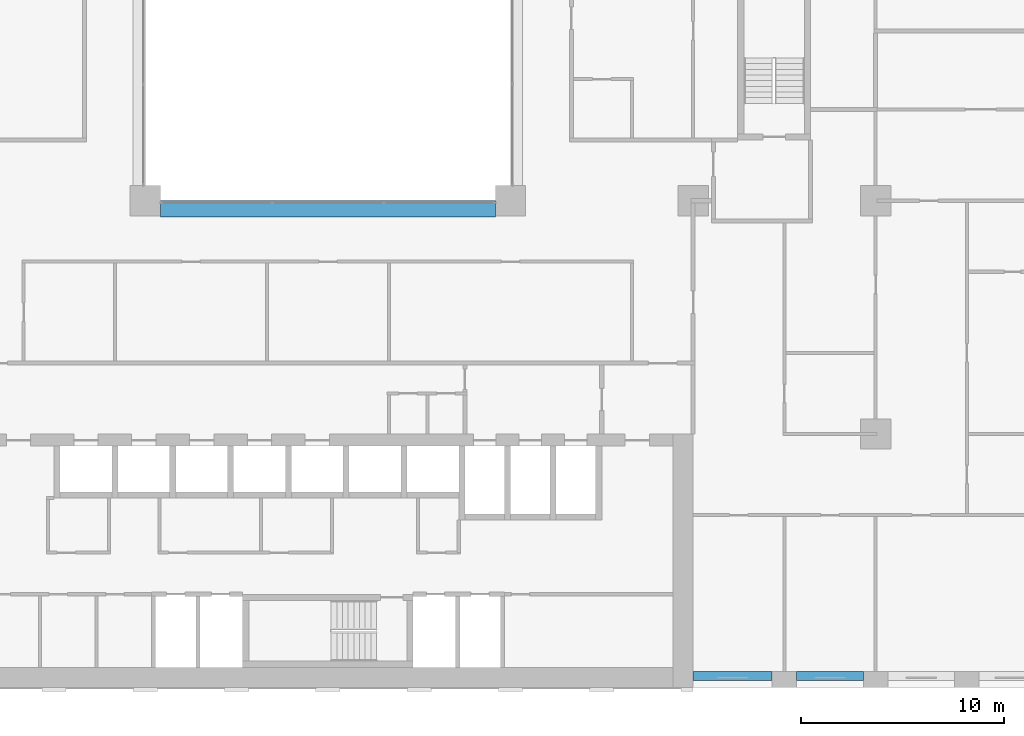
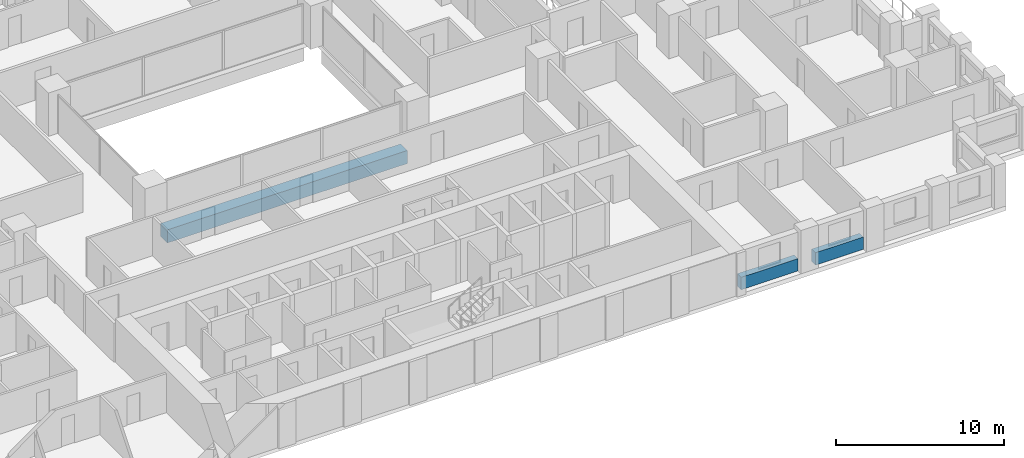
# One storey, part 3 of 20: 3 beams.
"""IFC4 building model written with IfcOpenShell, lengths in metres."""

from ifc_helpers import new_model, si_unit, direction, frame, origin, origin_2d, place, context, subcontext, project, spatial, rectangle, extrude, material, material_profile, profile_set, type_object, element, save


model = new_model("IFC4")

# Units and contexts
model_context = context("Model", 3, precision=1e-05, world=origin(), true_north=direction((0.0, 1.0)))
body_context = subcontext(model_context, "Body", "Model", "MODEL_VIEW")
ifc_project = project(units=[si_unit("LENGTHUNIT", "METRE"), si_unit("AREAUNIT", "SQUARE_METRE"), si_unit("VOLUMEUNIT", "CUBIC_METRE"), si_unit("PLANEANGLEUNIT", "RADIAN"), si_unit("MASSUNIT", "GRAM", prefix="KILO")], contexts=[model_context])

# Site, building, storey
site_placement = place(None, origin())
site = spatial("IfcSite", under=ifc_project, at=site_placement, CompositionType="ELEMENT")
building_placement = place(site_placement, origin())
building = spatial("IfcBuilding", under=site, at=building_placement, Name="Brigalow Station Residences", CompositionType="ELEMENT")
storey_placement = place(building_placement, frame((0.0, 0.0, 57.300048828125)))
storey = spatial("IfcBuildingStorey", under=building, at=storey_placement, Name="L16", CompositionType="ELEMENT", Elevation=57.300048828125)

# Beams
ifc_material_1 = material(Name="Concrete C65", Category="concrete")
ifc_material_profile_1 = material_profile(ifc_material_1, rectangle(XDim=0.800048828125, YDim=0.949951171875, at=origin_2d()), Name="RC800x950")
ifc_profile_set_1 = profile_set([ifc_material_profile_1], Name="Concrete C65")
beam_type_1 = type_object("IfcBeamType", Name="ATRIUM EDGE GIRDER OVER 13.5 M SPAN 800x950 C65", PredefinedType="BEAM", material=ifc_profile_set_1)
beam_1_placement = place(storey_placement, frame((27.75, 23.60009765625, -0.795166015625), z_axis=(1.0, 0.0, 0.0), x_axis=(0.0, 1.0, 0.0)))
element("IfcBeam", 1, at=beam_1_placement, inside=storey, type_object=beam_type_1, Name="ATRIUM EDGE GIRDER C L16", PredefinedType="BEAM", context=body_context, shape_type="SweptSolid", body=[
    extrude(rectangle(XDim=0.800048828125, YDim=0.949951171875, at=origin_2d()), origin(), (0.0, 0.0, 1.0), 16.5),
])
ifc_material_2 = material(Name="Concrete C65", Category="concrete")
ifc_material_profile_2 = material_profile(ifc_material_2, rectangle(XDim=0.449951171875, YDim=0.89990234375, at=origin_2d()), Name="RC450x900")
ifc_profile_set_2 = profile_set([ifc_material_profile_2], Name="Concrete C65")
beam_type_2 = type_object("IfcBeamType", Name="SPANDREL BEAM 450x900 C65", PredefinedType="SPANDREL", material=ifc_profile_set_2)
beam_2_placement = place(storey_placement, frame((54.0, 0.574951171875, 0.449951171875), z_axis=(1.0, 0.0, 0.0), x_axis=(0.0, 1.0, 0.0)))
element("IfcBeam", 2, at=beam_2_placement, inside=storey, type_object=beam_type_2, Name="L16/spandrel/W-L16-5", PredefinedType="SPANDREL", context=body_context, shape_type="SweptSolid", body=[
    extrude(rectangle(XDim=0.449951171875, YDim=0.89990234375, at=origin_2d()), origin(), (0.0, 0.0, 1.0), 3.89990234375),
])
beam_3_placement = place(storey_placement, frame((59.10009765625, 0.574951171875, 0.449951171875), z_axis=(1.0, 0.0, 0.0), x_axis=(0.0, 1.0, 0.0)))
element("IfcBeam", 3, at=beam_3_placement, inside=storey, type_object=beam_type_2, Name="L16/spandrel/W-L16-6", PredefinedType="SPANDREL", context=body_context, shape_type="SweptSolid", body=[
    extrude(rectangle(XDim=0.449951171875, YDim=0.89990234375, at=origin_2d()), origin(), (0.0, 0.0, 1.0), 3.2998046875),
])

save(model, "model.ifc")
